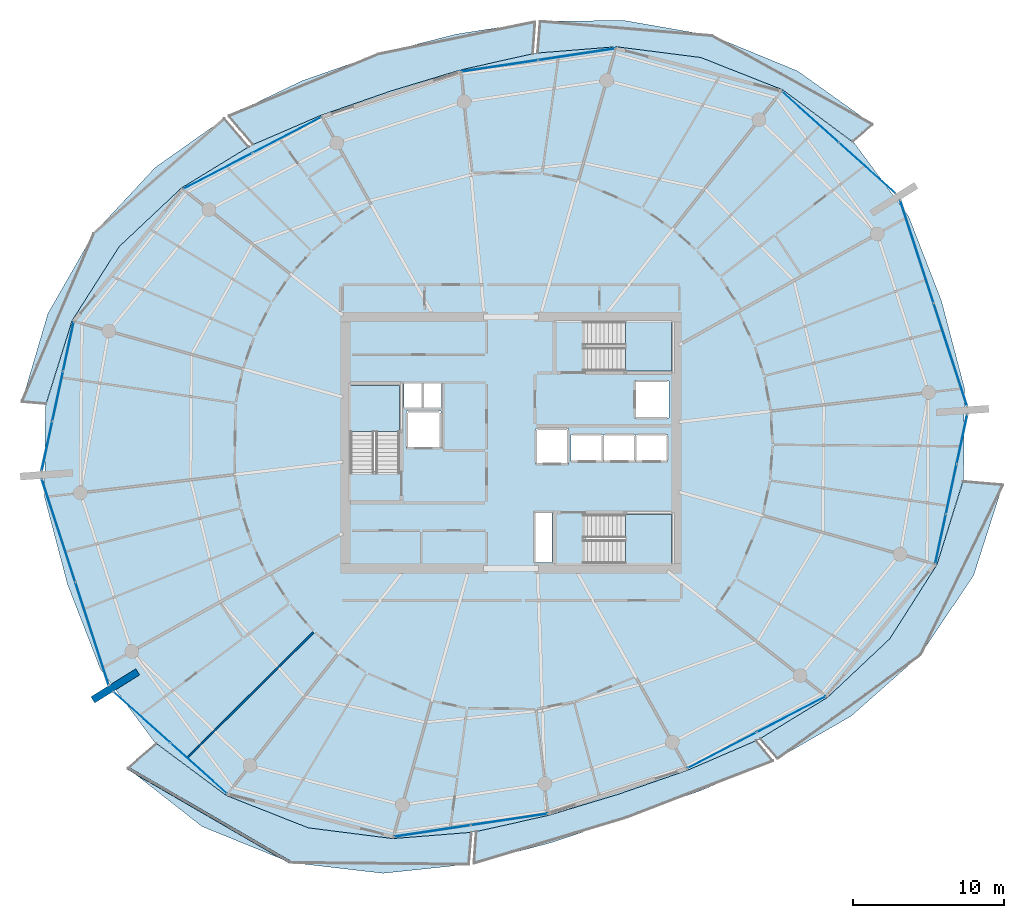
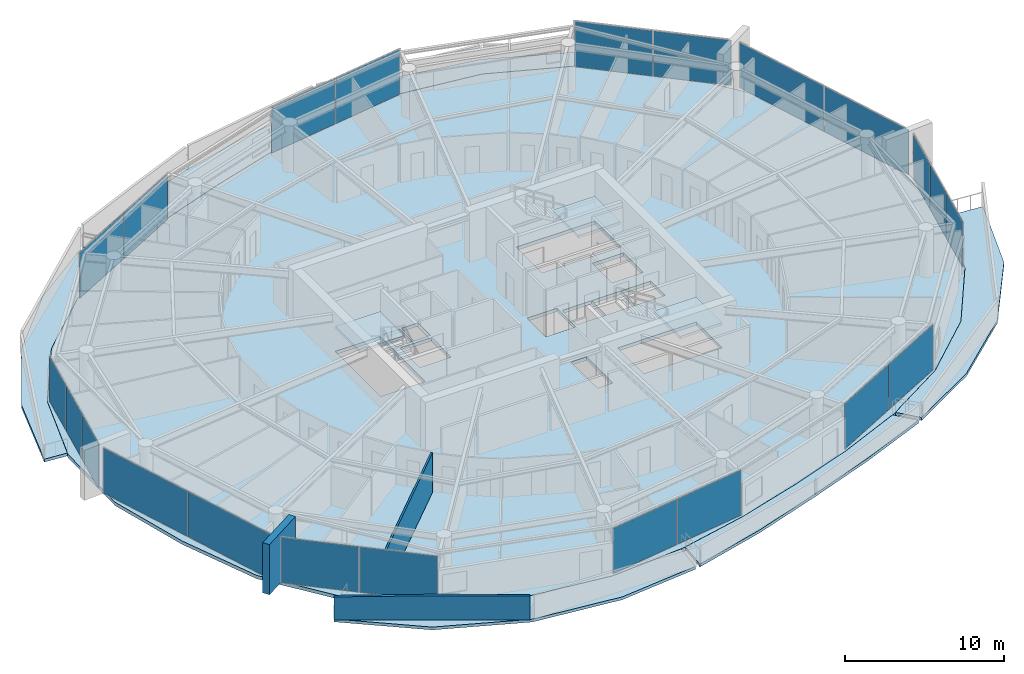
# One storey, part 17 of 30: 22 plates, 10 slabs, 3 walls, 13 elements without a shape of their own.
"""IFC4 building model written with IfcOpenShell, lengths in metres."""

from ifc_helpers import new_model, si_unit, direction, frame, frame_2d, origin, origin_2d, place, context, subcontext, project, spatial, polyline, rectangle, outline, extrude, material, layer, layer_set, type_object, element, aggregate, save


model = new_model("IFC4")

# Units and contexts
model_context = context("Model", 3, precision=1e-05, world=origin(), true_north=direction((0.0, 1.0)))
body_context = subcontext(model_context, "Body", "Model", "MODEL_VIEW")
ifc_project = project(units=[si_unit("LENGTHUNIT", "METRE"), si_unit("AREAUNIT", "SQUARE_METRE"), si_unit("VOLUMEUNIT", "CUBIC_METRE"), si_unit("PLANEANGLEUNIT", "RADIAN"), si_unit("MASSUNIT", "GRAM", prefix="KILO")], contexts=[model_context])

# Site, building, storey
site_placement = place(None, origin())
site = spatial("IfcSite", under=ifc_project, at=site_placement, CompositionType="ELEMENT")
building_placement = place(site_placement, origin())
building = spatial("IfcBuilding", under=site, at=building_placement, Name="Kazma Halo Residences", CompositionType="ELEMENT")
storey_placement = place(building_placement, frame((0.0, 0.0, 244.39990234375)))
storey = spatial("IfcBuildingStorey", under=building, at=storey_placement, Name="L61", CompositionType="ELEMENT", Elevation=244.39990234375)

# Curtain wall, plates
ifc_material_1 = material(Name="Aluminium AW-6063 T6 and Triple-Silver Low-E Glass", Category="aluminium")
ifc_layer_1 = layer(ifc_material_1, 0.139892578125)
ifc_layer_set_1 = layer_set([ifc_layer_1], Name="Aluminium AW-6063 T6 and Triple-Silver Low-E Glass")
curtain_wall_type = type_object("IfcCurtainWallType", Name="CW-SYS-5", PredefinedType="NOTDEFINED", material=ifc_layer_set_1)
curtain_wall_1_placement = place(storey_placement, origin())
curtain_wall_1 = element("IfcCurtainWall", 1, at=curtain_wall_1_placement, inside=storey, type_object=curtain_wall_type, Name="L61 unitised curtain wall B01", PredefinedType="NOTDEFINED")
ifc_material_2 = material(Name="Clear Triple-Silver Low-E Glass IGU", Category="glass")
ifc_layer_2 = layer(ifc_material_2, 0.02587890625)
ifc_layer_set_2 = layer_set([ifc_layer_2], Name="Clear Triple-Silver Low-E Glass IGU")
plate_type = type_object("IfcPlateType", Name="CW-SYS-5-PNL", PredefinedType="CURTAIN_PANEL", material=ifc_layer_set_2)
plate_1_placement = place(storey_placement, frame((72.002685546875, 60.179443359375, 0.06005859375), z_axis=(0.0, 0.0, 1.0), x_axis=(-0.744336424671, 0.667804826958, 0.0)))
plate_1 = element("IfcPlate", 2, at=plate_1_placement, type_object=plate_type, Name="CWS-5 panel 1.1", PredefinedType="CURTAIN_PANEL", context=body_context, shape_type="SweptSolid", body=[
    extrude(rectangle(XDim=4.993408203125, YDim=0.02587890625, at=origin_2d()), origin(), (0.0, 0.0, 1.0), 3.469970703125),
])
plate_2_placement = place(storey_placement, frame((68.2412109375, 63.55419921875, 0.06005859375), z_axis=(0.0, 0.0, 1.0), x_axis=(-0.744336424671, 0.667804826958, 0.0)))
plate_2 = element("IfcPlate", 3, at=plate_2_placement, type_object=plate_type, Name="CWS-5 panel 2.1", PredefinedType="CURTAIN_PANEL", context=body_context, shape_type="SweptSolid", body=[
    extrude(rectangle(XDim=4.993408203125, YDim=0.02587890625, at=origin_2d()), origin(), (0.0, 0.0, 1.0), 3.469970703125),
])
aggregate(curtain_wall_1, [plate_1, plate_2])

curtain_wall_2_placement = place(storey_placement, origin())
curtain_wall_2 = element("IfcCurtainWall", 4, at=curtain_wall_2_placement, inside=storey, type_object=curtain_wall_type, Name="L61 unitised curtain wall B03", PredefinedType="NOTDEFINED")
plate_3_placement = place(storey_placement, frame((52.77783203125, 67.70361328125, 0.06005859375), z_axis=(0.0, 0.0, 1.0), x_axis=(-0.988882792998, -0.148697080374, 0.0)))
plate_3 = element("IfcPlate", 5, at=plate_3_placement, type_object=plate_type, Name="CWS-5 panel 1.1", PredefinedType="CURTAIN_PANEL", context=body_context, shape_type="SweptSolid", body=[
    extrude(rectangle(XDim=5.099853515625, YDim=0.02587890625, at=origin_2d()), origin(), (0.0, 0.0, 1.0), 3.469970703125),
])
plate_4_placement = place(storey_placement, frame((47.67529296875, 66.936279296875, 0.06005859375), z_axis=(0.0, 0.0, 1.0), x_axis=(-0.988882792998, -0.148697080374, 0.0)))
plate_4 = element("IfcPlate", 6, at=plate_4_placement, type_object=plate_type, Name="CWS-5 panel 2.1", PredefinedType="CURTAIN_PANEL", context=body_context, shape_type="SweptSolid", body=[
    extrude(rectangle(XDim=5.099853515625, YDim=0.02587890625, at=origin_2d()), origin(), (0.0, 0.0, 1.0), 3.469970703125),
])
aggregate(curtain_wall_2, [plate_3, plate_4])

curtain_wall_3_placement = place(storey_placement, origin())
curtain_wall_3 = element("IfcCurtainWall", 7, at=curtain_wall_3_placement, inside=storey, type_object=curtain_wall_type, Name="L61 unitised curtain wall B05", PredefinedType="NOTDEFINED")
plate_5_placement = place(storey_placement, frame((33.60546875, 62.36474609375, 0.06005859375), z_axis=(0.0, 0.0, 1.0), x_axis=(-0.887420518694, -0.460960760804, 0.0)))
plate_5 = element("IfcPlate", 8, at=plate_5_placement, type_object=plate_type, Name="CWS-5 panel 1.1", PredefinedType="CURTAIN_PANEL", context=body_context, shape_type="SweptSolid", body=[
    extrude(rectangle(XDim=5.099609375, YDim=0.02587890625, at=origin_2d()), origin(), (0.0, 0.0, 1.0), 3.469970703125),
])
plate_6_placement = place(storey_placement, frame((29.026611328125, 59.986328125, 0.06005859375), z_axis=(0.0, 0.0, 1.0), x_axis=(-0.887420518694, -0.460960760804, 0.0)))
plate_6 = element("IfcPlate", 9, at=plate_6_placement, type_object=plate_type, Name="CWS-5 panel 2.1", PredefinedType="CURTAIN_PANEL", context=body_context, shape_type="SweptSolid", body=[
    extrude(rectangle(XDim=5.099609375, YDim=0.02587890625, at=origin_2d()), origin(), (0.0, 0.0, 1.0), 3.469970703125),
])
aggregate(curtain_wall_3, [plate_5, plate_6])

curtain_wall_4_placement = place(storey_placement, origin())
curtain_wall_4 = element("IfcCurtainWall", 10, at=curtain_wall_4_placement, inside=storey, type_object=curtain_wall_type, Name="L61 unitised curtain wall B07", PredefinedType="NOTDEFINED")
plate_7_placement = place(storey_placement, frame((19.133056640625, 48.36865234375, 0.06005859375), z_axis=(0.0, 0.0, 1.0), x_axis=(-0.209657382603, -0.97777491373, 0.0)))
plate_7 = element("IfcPlate", 11, at=plate_7_placement, type_object=plate_type, Name="CWS-5 panel 1.1", PredefinedType="CURTAIN_PANEL", context=body_context, shape_type="SweptSolid", body=[
    extrude(rectangle(XDim=3.299072265625, YDim=0.02587890625, at=origin_2d()), origin(), (0.0, 0.0, 1.0), 3.469970703125),
])
plate_8_placement = place(storey_placement, frame((18.42578125, 45.069580078125, 0.06005859375), z_axis=(0.0, 0.0, 1.0), x_axis=(-0.209657382603, -0.97777491373, 0.0)))
plate_8 = element("IfcPlate", 12, at=plate_8_placement, type_object=plate_type, Name="CWS-5 panel 2.1", PredefinedType="CURTAIN_PANEL", context=body_context, shape_type="SweptSolid", body=[
    extrude(rectangle(XDim=3.3291015625, YDim=0.02587890625, at=origin_2d()), origin(), (0.0, 0.0, 1.0), 3.469970703125),
])
plate_9_placement = place(storey_placement, frame((17.71826171875, 41.7705078125, 0.06005859375), z_axis=(0.0, 0.0, 1.0), x_axis=(-0.209657382603, -0.97777491373, 0.0)))
plate_9 = element("IfcPlate", 13, at=plate_9_placement, type_object=plate_type, Name="CWS-5 panel 3.1", PredefinedType="CURTAIN_PANEL", context=body_context, shape_type="SweptSolid", body=[
    extrude(rectangle(XDim=3.299072265625, YDim=0.02587890625, at=origin_2d()), origin(), (0.0, 0.0, 1.0), 3.469970703125),
])
aggregate(curtain_wall_4, [plate_7, plate_8, plate_9])

curtain_wall_5_placement = place(storey_placement, origin())
curtain_wall_5 = element("IfcCurtainWall", 14, at=curtain_wall_5_placement, inside=storey, type_object=curtain_wall_type, Name="L61 unitised curtain wall B08", PredefinedType="NOTDEFINED")
plate_10_placement = place(storey_placement, frame((18.48486328125, 36.1787109375, 0.06005859375), z_axis=(0.0, 0.0, 1.0), x_axis=(0.309010998786, -0.951058464359, 0.0)))
plate_10 = element("IfcPlate", 15, at=plate_10_placement, type_object=plate_type, Name="CWS-5 panel 1.1", PredefinedType="CURTAIN_PANEL", context=body_context, shape_type="SweptSolid", body=[
    extrude(rectangle(XDim=7.108642578125, YDim=0.02587890625, at=origin_2d()), origin(), (0.0, 0.0, 1.0), 3.469970703125),
])
plate_11_placement = place(storey_placement, frame((20.699951171875, 29.36083984375, 0.06005859375), z_axis=(0.0, 0.0, 1.0), x_axis=(0.309010998786, -0.951058464359, 0.0)))
plate_11 = element("IfcPlate", 16, at=plate_11_placement, type_object=plate_type, Name="CWS-5 panel 2.1", PredefinedType="CURTAIN_PANEL", context=body_context, shape_type="SweptSolid", body=[
    extrude(rectangle(XDim=7.108642578125, YDim=0.02587890625, at=origin_2d()), origin(), (0.0, 0.0, 1.0), 3.469970703125),
])
aggregate(curtain_wall_5, [plate_10, plate_11])

curtain_wall_6_placement = place(storey_placement, origin())
curtain_wall_6 = element("IfcCurtainWall", 17, at=curtain_wall_6_placement, inside=storey, type_object=curtain_wall_type, Name="L61 unitised curtain wall B09", PredefinedType="NOTDEFINED")
plate_12_placement = place(storey_placement, frame((23.997314453125, 23.820556640625, 0.06005859375), z_axis=(0.0, 0.0, 1.0), x_axis=(0.744336424671, -0.667804826958, 0.0)))
plate_12 = element("IfcPlate", 18, at=plate_12_placement, type_object=plate_type, Name="CWS-5 panel 1.1", PredefinedType="CURTAIN_PANEL", context=body_context, shape_type="SweptSolid", body=[
    extrude(rectangle(XDim=4.993408203125, YDim=0.02587890625, at=origin_2d()), origin(), (0.0, 0.0, 1.0), 3.469970703125),
])
plate_13_placement = place(storey_placement, frame((27.7587890625, 20.44580078125, 0.06005859375), z_axis=(0.0, 0.0, 1.0), x_axis=(0.744336424671, -0.667804826958, 0.0)))
plate_13 = element("IfcPlate", 19, at=plate_13_placement, type_object=plate_type, Name="CWS-5 panel 2.1", PredefinedType="CURTAIN_PANEL", context=body_context, shape_type="SweptSolid", body=[
    extrude(rectangle(XDim=4.993408203125, YDim=0.02587890625, at=origin_2d()), origin(), (0.0, 0.0, 1.0), 3.469970703125),
])
aggregate(curtain_wall_6, [plate_12, plate_13])

curtain_wall_7_placement = place(storey_placement, origin())
curtain_wall_7 = element("IfcCurtainWall", 20, at=curtain_wall_7_placement, inside=storey, type_object=curtain_wall_type, Name="L61 unitised curtain wall B11", PredefinedType="NOTDEFINED")
plate_14_placement = place(storey_placement, frame((43.22216796875, 16.29638671875, 0.06005859375), z_axis=(0.0, 0.0, 1.0), x_axis=(0.988882792998, 0.148697080374, 0.0)))
plate_14 = element("IfcPlate", 21, at=plate_14_placement, type_object=plate_type, Name="CWS-5 panel 1.1", PredefinedType="CURTAIN_PANEL", context=body_context, shape_type="SweptSolid", body=[
    extrude(rectangle(XDim=5.099853515625, YDim=0.02587890625, at=origin_2d()), origin(), (0.0, 0.0, 1.0), 3.469970703125),
])
plate_15_placement = place(storey_placement, frame((48.32470703125, 17.063720703125, 0.06005859375), z_axis=(0.0, 0.0, 1.0), x_axis=(0.988882792998, 0.148697080374, 0.0)))
plate_15 = element("IfcPlate", 22, at=plate_15_placement, type_object=plate_type, Name="CWS-5 panel 2.1", PredefinedType="CURTAIN_PANEL", context=body_context, shape_type="SweptSolid", body=[
    extrude(rectangle(XDim=5.099853515625, YDim=0.02587890625, at=origin_2d()), origin(), (0.0, 0.0, 1.0), 3.469970703125),
])
aggregate(curtain_wall_7, [plate_14, plate_15])

curtain_wall_8_placement = place(storey_placement, origin())
curtain_wall_8 = element("IfcCurtainWall", 23, at=curtain_wall_8_placement, inside=storey, type_object=curtain_wall_type, Name="L61 unitised curtain wall B13", PredefinedType="NOTDEFINED")
plate_16_placement = place(storey_placement, frame((62.39453125, 21.63525390625, 0.06005859375), z_axis=(0.0, 0.0, 1.0), x_axis=(0.887420518694, 0.460960760804, 0.0)))
plate_16 = element("IfcPlate", 24, at=plate_16_placement, type_object=plate_type, Name="CWS-5 panel 1.1", PredefinedType="CURTAIN_PANEL", context=body_context, shape_type="SweptSolid", body=[
    extrude(rectangle(XDim=5.099609375, YDim=0.02587890625, at=origin_2d()), origin(), (0.0, 0.0, 1.0), 3.469970703125),
])
plate_17_placement = place(storey_placement, frame((66.973388671875, 24.013671875, 0.06005859375), z_axis=(0.0, 0.0, 1.0), x_axis=(0.887420518694, 0.460960760804, 0.0)))
plate_17 = element("IfcPlate", 25, at=plate_17_placement, type_object=plate_type, Name="CWS-5 panel 2.1", PredefinedType="CURTAIN_PANEL", context=body_context, shape_type="SweptSolid", body=[
    extrude(rectangle(XDim=5.099609375, YDim=0.02587890625, at=origin_2d()), origin(), (0.0, 0.0, 1.0), 3.469970703125),
])
aggregate(curtain_wall_8, [plate_16, plate_17])

curtain_wall_9_placement = place(storey_placement, origin())
curtain_wall_9 = element("IfcCurtainWall", 26, at=curtain_wall_9_placement, inside=storey, type_object=curtain_wall_type, Name="L61 unitised curtain wall B15", PredefinedType="NOTDEFINED")
plate_18_placement = place(storey_placement, frame((76.866943359375, 35.63134765625, 0.06005859375), z_axis=(0.0, 0.0, 1.0), x_axis=(0.209657382603, 0.97777491373, 0.0)))
plate_18 = element("IfcPlate", 27, at=plate_18_placement, type_object=plate_type, Name="CWS-5 panel 1.1", PredefinedType="CURTAIN_PANEL", context=body_context, shape_type="SweptSolid", body=[
    extrude(rectangle(XDim=3.299072265625, YDim=0.02587890625, at=origin_2d()), origin(), (0.0, 0.0, 1.0), 3.469970703125),
])
plate_19_placement = place(storey_placement, frame((77.57421875, 38.930419921875, 0.06005859375), z_axis=(0.0, 0.0, 1.0), x_axis=(0.209657382603, 0.97777491373, 0.0)))
plate_19 = element("IfcPlate", 28, at=plate_19_placement, type_object=plate_type, Name="CWS-5 panel 2.1", PredefinedType="CURTAIN_PANEL", context=body_context, shape_type="SweptSolid", body=[
    extrude(rectangle(XDim=3.3291015625, YDim=0.02587890625, at=origin_2d()), origin(), (0.0, 0.0, 1.0), 3.469970703125),
])
plate_20_placement = place(storey_placement, frame((78.28173828125, 42.2294921875, 0.06005859375), z_axis=(0.0, 0.0, 1.0), x_axis=(0.209657382603, 0.97777491373, 0.0)))
plate_20 = element("IfcPlate", 29, at=plate_20_placement, type_object=plate_type, Name="CWS-5 panel 3.1", PredefinedType="CURTAIN_PANEL", context=body_context, shape_type="SweptSolid", body=[
    extrude(rectangle(XDim=3.299072265625, YDim=0.02587890625, at=origin_2d()), origin(), (0.0, 0.0, 1.0), 3.469970703125),
])
aggregate(curtain_wall_9, [plate_18, plate_19, plate_20])

curtain_wall_10_placement = place(storey_placement, origin())
curtain_wall_10 = element("IfcCurtainWall", 30, at=curtain_wall_10_placement, inside=storey, type_object=curtain_wall_type, Name="L61 unitised curtain wall B16", PredefinedType="NOTDEFINED")
plate_21_placement = place(storey_placement, frame((77.51513671875, 47.8212890625, 0.06005859375), z_axis=(0.0, 0.0, 1.0), x_axis=(-0.309010998786, 0.951058464359, 0.0)))
plate_21 = element("IfcPlate", 31, at=plate_21_placement, type_object=plate_type, Name="CWS-5 panel 1.1", PredefinedType="CURTAIN_PANEL", context=body_context, shape_type="SweptSolid", body=[
    extrude(rectangle(XDim=7.108642578125, YDim=0.02587890625, at=origin_2d()), origin(), (0.0, 0.0, 1.0), 3.469970703125),
])
plate_22_placement = place(storey_placement, frame((75.300048828125, 54.63916015625, 0.06005859375), z_axis=(0.0, 0.0, 1.0), x_axis=(-0.309010998786, 0.951058464359, 0.0)))
plate_22 = element("IfcPlate", 32, at=plate_22_placement, type_object=plate_type, Name="CWS-5 panel 2.1", PredefinedType="CURTAIN_PANEL", context=body_context, shape_type="SweptSolid", body=[
    extrude(rectangle(XDim=7.108642578125, YDim=0.02587890625, at=origin_2d()), origin(), (0.0, 0.0, 1.0), 3.469970703125),
])
aggregate(curtain_wall_10, [plate_21, plate_22])

# Slabs
ifc_material_3 = material(Name="White Concrete C50/60", Category="concrete")
ifc_layer_3 = layer(ifc_material_3, 0.219970703125)
ifc_layer_set_3 = layer_set([ifc_layer_3], Name="White Concrete C50/60")
slab_type_1 = type_object("IfcSlabType", Name="SLB-BAL-WAVE-210", PredefinedType="FLOOR", material=ifc_layer_set_3)
slab_1_placement = place(storey_placement, frame((0.0, 0.0, -0.219970703125)))
element("IfcSlab", 33, at=slab_1_placement, inside=storey, type_object=slab_type_1, Name="L61 NE cantilevered wave balcony slab", PredefinedType="FLOOR", context=body_context, shape_type="SweptSolid", body=[
    extrude(outline(polyline([(71.0400390625, 61.9228515625), (66.41357421875, 65.357421875), (60.990478515625, 67.49560546875), (55.3916015625, 68.208984375), (50.188720703125, 67.794189453125), (50.3662109375, 69.887451171875), (55.8828125, 69.9501953125), (61.72509765625, 68.936767578125), (67.396484375, 66.6044921875), (72.361083984375, 63.065185546875), (71.0400390625, 61.9228515625)])), origin(), (0.0, 0.0, 1.0), 0.219970703125),
])
slab_2_placement = place(storey_placement, frame((0.0, 0.0, -0.219970703125)))
element("IfcSlab", 34, at=slab_2_placement, inside=storey, type_object=slab_type_1, Name="L61 NNW cantilevered wave balcony slab", PredefinedType="FLOOR", context=body_context, shape_type="SweptSolid", body=[
    extrude(outline(polyline([(49.8681640625, 67.74609375), (45.080078125, 66.66943359375), (40.43994140625, 65.267333984375), (35.86181640625, 63.67431640625), (31.35546875, 61.731201171875), (29.756591796875, 63.62646484375), (34.58740234375, 65.94970703125), (39.643310546875, 67.719482421875), (44.799560546875, 69.039794921875), (50.02099609375, 69.85546875), (49.8681640625, 67.74609375)])), origin(), (0.0, 0.0, 1.0), 0.219970703125),
])
slab_3_placement = place(storey_placement, frame((0.0, 0.0, -0.219970703125)))
element("IfcSlab", 35, at=slab_3_placement, inside=storey, type_object=slab_type_1, Name="L61 NW cantilevered wave balcony slab", PredefinedType="FLOOR", context=body_context, shape_type="SweptSolid", body=[
    extrude(outline(polyline([(31.06787109375, 61.58154296875), (26.614501953125, 58.85888671875), (22.50439453125, 54.990478515625), (19.3740234375, 50.0732421875), (17.64990234375, 44.5751953125), (16.0546875, 44.710693359375), (17.77099609375, 50.525390625), (20.8125, 55.852783203125), (24.887451171875, 60.220458984375), (29.45166015625, 63.45068359375), (31.06787109375, 61.58154296875)])), origin(), (0.0, 0.0, 1.0), 0.219970703125),
])
slab_4_placement = place(storey_placement, frame((0.0, 0.0, -0.219970703125)))
element("IfcSlab", 36, at=slab_4_placement, inside=storey, type_object=slab_type_1, Name="L61 SW cantilevered wave balcony slab", PredefinedType="FLOOR", context=body_context, shape_type="SweptSolid", body=[
    extrude(outline(polyline([(24.9599609375, 22.0771484375), (29.58642578125, 18.642578125), (35.009521484375, 16.50439453125), (40.6083984375, 15.791015625), (45.811279296875, 16.205810546875), (45.632080078125, 14.093505859375), (39.96044921875, 13.49365234375), (33.8388671875, 14.20703125), (27.971923828125, 16.594482421875), (23.072509765625, 20.445068359375), (24.9599609375, 22.0771484375)])), origin(), (0.0, 0.0, 1.0), 0.219970703125),
])
slab_5_placement = place(storey_placement, frame((0.0, 0.0, -0.219970703125)))
element("IfcSlab", 37, at=slab_5_placement, inside=storey, type_object=slab_type_1, Name="L61 SSE cantilevered wave balcony slab", PredefinedType="FLOOR", context=body_context, shape_type="SweptSolid", body=[
    extrude(outline(polyline([(46.1318359375, 16.25390625), (50.919921875, 17.33056640625), (55.56005859375, 18.732666015625), (60.13818359375, 20.32568359375), (64.64453125, 22.268798828125), (65.7607421875, 20.94580078125), (60.9140625, 18.940185546875), (56.059814453125, 17.194091796875), (51.132568359375, 15.533935546875), (45.980224609375, 14.16357421875), (46.1318359375, 16.25390625)])), origin(), (0.0, 0.0, 1.0), 0.219970703125),
])
slab_6_placement = place(storey_placement, frame((0.0, 0.0, -0.219970703125)))
element("IfcSlab", 38, at=slab_6_placement, inside=storey, type_object=slab_type_1, Name="L61 SE cantilevered wave balcony slab", PredefinedType="FLOOR", context=body_context, shape_type="SweptSolid", body=[
    extrude(outline(polyline([(64.93212890625, 22.41845703125), (69.385498046875, 25.14111328125), (73.49560546875, 29.009521484375), (76.6259765625, 33.9267578125), (78.35009765625, 39.4248046875), (80.9814453125, 39.201416015625), (79.061279296875, 33.23974609375), (75.5419921875, 27.966552734375), (70.953369140625, 23.905029296875), (66.076416015625, 21.09521484375), (64.93212890625, 22.41845703125)])), origin(), (0.0, 0.0, 1.0), 0.219970703125),
])
ifc_material_4 = material(Name="Concrete C50/60", Category="concrete")
ifc_layer_4 = layer(ifc_material_4, 0.260009765625)
ifc_layer_set_4 = layer_set([ifc_layer_4], Name="Concrete C50/60")
slab_type_2 = type_object("IfcSlabType", Name="SLB-RES-260", PredefinedType="FLOOR", material=ifc_layer_set_4)
slab_7_placement = place(storey_placement, frame((0.0, 0.0, -0.260009765625)))
element("IfcSlab", 39, at=slab_7_placement, inside=storey, type_object=slab_type_2, Name="L61 structural floor slab", PredefinedType="FLOOR", context=body_context, shape_type="SweptSolid", body=[
    extrude(outline(polyline([(76.9189453125, 51.396240234375), (74.749755859375, 56.980712890625), (71.180419921875, 61.7978515625), (66.412109375, 65.355712890625), (60.98974609375, 67.49365234375), (55.39111328125, 68.207275390625), (50.02880859375, 67.7783203125), (45.080322265625, 66.66748046875), (40.440673828125, 65.265380859375), (35.86279296875, 63.672607421875), (31.20654296875, 61.66259765625), (26.6162109375, 58.857666015625), (22.50634765625, 54.98974609375), (19.3759765625, 50.07275390625), (17.60986328125, 44.391845703125), (17.5537109375, 38.396484375), (19.0810546875, 32.603759765625), (21.250244140625, 27.019287109375), (24.819580078125, 22.2021484375), (29.587890625, 18.644287109375), (35.01025390625, 16.50634765625), (40.60888671875, 15.792724609375), (45.97119140625, 16.2216796875), (50.919677734375, 17.33251953125), (55.559326171875, 18.734619140625), (60.13720703125, 20.327392578125), (64.79345703125, 22.33740234375), (69.3837890625, 25.142333984375), (73.49365234375, 29.01025390625), (76.6240234375, 33.92724609375), (78.39013671875, 39.608154296875), (78.4462890625, 45.603515625), (76.9189453125, 51.396240234375)]), holes=[polyline([(37.800048828125, 40.110107421875), (41.050048828125, 40.110107421875), (41.050048828125, 45.800048828125), (37.800048828125, 45.800048828125), (37.800048828125, 40.110107421875)]), polyline([(53.360107421875, 46.75), (59.050048828125, 46.75), (59.050048828125, 50.0), (53.360107421875, 50.0), (53.360107421875, 46.75)]), polyline([(53.360107421875, 34.0), (59.050048828125, 34.0), (59.050048828125, 37.25), (53.360107421875, 37.25), (53.360107421875, 34.0)]), polyline([(41.52001953125, 41.6201171875), (43.780029296875, 41.6201171875), (43.780029296875, 44.080078125), (41.52001953125, 44.080078125), (41.52001953125, 41.6201171875)]), polyline([(56.6201171875, 43.6201171875), (58.8798828125, 43.6201171875), (58.8798828125, 46.080078125), (56.6201171875, 46.080078125), (56.6201171875, 43.6201171875)]), polyline([(52.39501953125, 40.7451171875), (54.5048828125, 40.7451171875), (54.5048828125, 42.554931640625), (52.39501953125, 42.554931640625), (52.39501953125, 40.7451171875)]), polyline([(54.544921875, 40.7451171875), (56.655029296875, 40.7451171875), (56.655029296875, 42.554931640625), (54.544921875, 42.554931640625), (54.544921875, 40.7451171875)]), polyline([(56.695068359375, 40.7451171875), (58.804931640625, 40.7451171875), (58.804931640625, 42.554931640625), (56.695068359375, 42.554931640625), (56.695068359375, 40.7451171875)]), polyline([(50.070068359375, 40.570068359375), (52.22998046875, 40.570068359375), (52.22998046875, 42.929931640625), (50.070068359375, 42.929931640625), (50.070068359375, 40.570068359375)]), polyline([(41.360107421875, 44.340087890625), (42.5400390625, 44.340087890625), (42.5400390625, 45.89990234375), (41.360107421875, 45.89990234375), (41.360107421875, 44.340087890625)]), polyline([(42.659912109375, 44.340087890625), (43.840087890625, 44.340087890625), (43.840087890625, 45.89990234375), (42.659912109375, 45.89990234375), (42.659912109375, 44.340087890625)]), polyline([(50.06005859375, 34.080078125), (51.159912109375, 34.080078125), (51.159912109375, 37.3798828125), (50.06005859375, 37.3798828125), (50.06005859375, 34.080078125)])]), origin(), (0.0, 0.0, 1.0), 0.260009765625),
])

# Stair, slab
stair_type = type_object("IfcStairType", Name="STR-RES2", PredefinedType="HALF_TURN_STAIR", material=ifc_material_4)
stair_1_placement = place(storey_placement, origin())
stair_1 = element("IfcStair", 40, at=stair_1_placement, inside=storey, type_object=stair_type, Name="L61 Core exit stair ST-01", PredefinedType="HALF_TURN_STAIR")
ifc_layer_5 = layer(ifc_material_4, 0.199951171875)
ifc_layer_set_5 = layer_set([ifc_layer_5], Name="Concrete C50/60")
slab_type_3 = type_object("IfcSlabType", Name="SLB-STAIR-LND-200", PredefinedType="LANDING", material=ifc_layer_set_5)
slab_8_placement = place(storey_placement, frame((0.0, 0.0, 1.72509765625)))
slab_8 = element("IfcSlab", 41, at=slab_8_placement, type_object=slab_type_3, Name="ST-01 landing 1", PredefinedType="LANDING", context=body_context, shape_type="SweptSolid", body=[
    extrude(outline(polyline([(41.050048828125, 42.75), (41.050048828125, 45.800048828125), (37.800048828125, 45.800048828125), (37.800048828125, 42.75), (41.050048828125, 42.75)])), origin(), (0.0, 0.0, 1.0), 0.199951171875),
])
aggregate(stair_1, [slab_8])

stair_2_placement = place(storey_placement, origin())
stair_2 = element("IfcStair", 42, at=stair_2_placement, inside=storey, type_object=stair_type, Name="L61 Core exit stair ST-02", PredefinedType="HALF_TURN_STAIR")
slab_9_placement = place(storey_placement, frame((0.0, 0.0, 1.72509765625)))
slab_9 = element("IfcSlab", 43, at=slab_9_placement, type_object=slab_type_3, Name="ST-02 landing 1", PredefinedType="LANDING", context=body_context, shape_type="SweptSolid", body=[
    extrude(outline(polyline([(56.0, 46.75), (59.050048828125, 46.75), (59.050048828125, 50.0), (56.0, 50.0), (56.0, 46.75)])), origin(), (0.0, 0.0, 1.0), 0.199951171875),
])
aggregate(stair_2, [slab_9])

stair_3_placement = place(storey_placement, origin())
stair_3 = element("IfcStair", 44, at=stair_3_placement, inside=storey, type_object=stair_type, Name="L61 Core exit stair ST-03", PredefinedType="HALF_TURN_STAIR")
slab_10_placement = place(storey_placement, frame((0.0, 0.0, 1.72509765625)))
slab_10 = element("IfcSlab", 45, at=slab_10_placement, type_object=slab_type_3, Name="ST-03 landing 1", PredefinedType="LANDING", context=body_context, shape_type="SweptSolid", body=[
    extrude(outline(polyline([(56.0, 34.0), (59.050048828125, 34.0), (59.050048828125, 37.25), (56.0, 37.25), (56.0, 34.0)])), origin(), (0.0, 0.0, 1.0), 0.199951171875),
])
aggregate(stair_3, [slab_10])

# Walls
ifc_material_5 = material(Name="White Concrete C50/60 Balustrade", Category="concrete")
ifc_layer_6 = layer(ifc_material_5, 0.179931640625)
ifc_layer_set_6 = layer_set([ifc_layer_6], Name="White Concrete C50/60 Balustrade")
wall_type_1 = type_object("IfcWallType", Name="WL-BAL-WAVE-180", PredefinedType="PARAPET", material=ifc_layer_set_6)
wall_1_placement = place(storey_placement, frame((23.072509765625, 20.445068359375, 0.0), z_axis=(0.0, 0.0, 1.0), x_axis=(0.865262565506, -0.501318953097, 0.0)))
element("IfcWall", 46, at=wall_1_placement, inside=storey, type_object=wall_type_1, Name="L61 white wave balustrade wall SW.1", PredefinedType="PARAPET", context=body_context, shape_type="SweptSolid", body=[
    extrude(outline(polyline([(0.0, 0.0), (12.322998046875, 0.0), (12.322998046875, 1.83203125), (6.16162109375, 1.85302734375), (0.0, 1.756103515625), (0.0, 0.0)])), frame((0.0, 0.08984375, 0.0), z_axis=(0.0, -1.0, 0.0), x_axis=(1.0, 0.0, 0.0)), (0.0, 0.0, 1.0), 0.179931640625),
])
ifc_material_6 = material(Name="Pale Concrete C60/75", Category="concrete")
ifc_layer_7 = layer(ifc_material_6, 0.47998046875)
ifc_layer_set_7 = layer_set([ifc_layer_7], Name="Pale Concrete C60/75")
wall_type_2 = type_object("IfcWallType", Name="WL-BLADE-480", PredefinedType="SOLIDWALL", material=ifc_layer_set_7)
wall_2_placement = place(storey_placement, frame((23.718505859375, 26.827392578125, 0.0), z_axis=(0.0, 0.0, 1.0), x_axis=(-0.848033572426, -0.529942506352, 0.0)))
element("IfcWall", 47, at=wall_2_placement, inside=storey, type_object=wall_type_2, Name="L61 pale concrete structural blade fin wall BW-03", PredefinedType="SOLIDWALL", context=body_context, shape_type="SweptSolid", body=[
    extrude(rectangle(XDim=3.5, YDim=0.47998046875, at=frame_2d((1.75, 0.0))), origin(), (0.0, 0.0, 1.0), 3.85009765625),
])
ifc_material_7 = material(Name="Gypsum Plasterboard Partition")
ifc_layer_8 = layer(ifc_material_7, 0.125)
ifc_layer_set_8 = layer_set([ifc_layer_8], Name="Gypsum Plasterboard Partition")
wall_type_3 = type_object("IfcWallType", Name="WL-PART-125", PredefinedType="PARTITIONING", material=ifc_layer_set_8)
wall_3_placement = place(storey_placement, frame((35.334716796875, 29.426025390625, 0.0), z_axis=(0.0, 0.0, 1.0), x_axis=(-0.709660425086, -0.704543881576, 0.0)))
element("IfcWall", 48, at=wall_3_placement, inside=storey, type_object=wall_type_3, Name="L61 Apartment 2 suite divider 8", PredefinedType="PARTITIONING", context=body_context, shape_type="SweptSolid", body=[
    extrude(rectangle(XDim=11.738037109375, YDim=0.125, at=frame_2d((5.869140625, 0.0))), origin(), (0.0, 0.0, 1.0), 3.030029296875),
])

save(model, "model.ifc")
